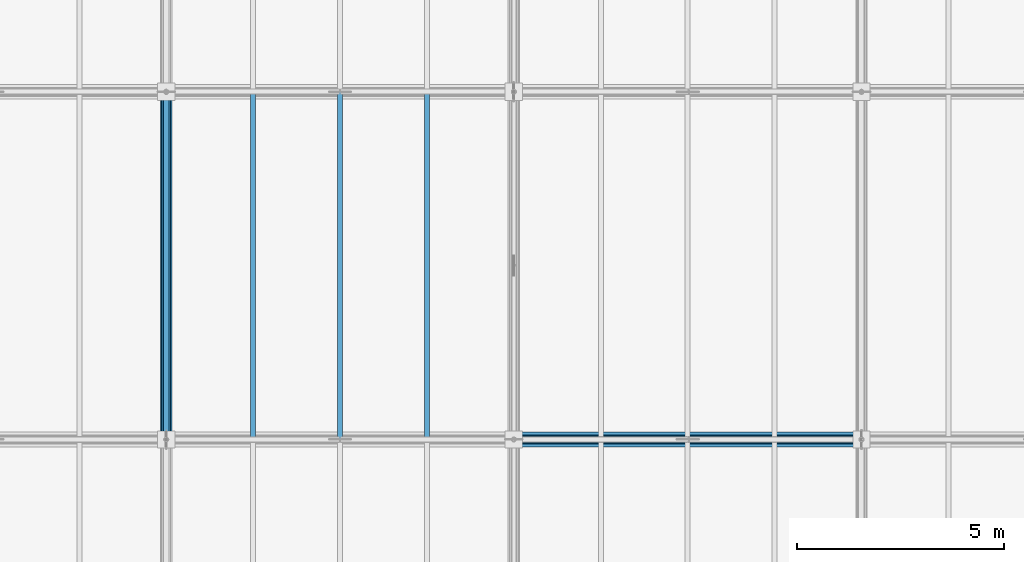
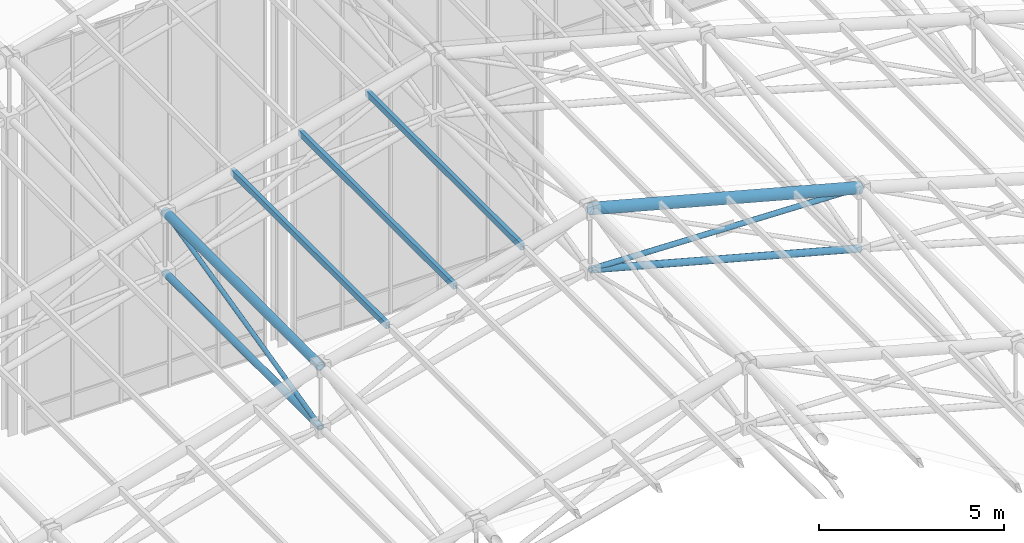
# One storey, part 54 of 144: 9 members.
"""IFC4 building model written with IfcOpenShell, lengths in metres."""

from ifc_helpers import new_model, si_unit, direction, frame, origin, origin_2d, place, context, subcontext, project, spatial, hollow_rectangle, hollow_circle, extrude, material, material_profile, profile_set, type_object, element, save


model = new_model("IFC4")

# Units and contexts
model_context = context("Model", 3, precision=1e-05, world=origin(), true_north=direction((0.0, 1.0)))
body_context = subcontext(model_context, "Body", "Model", "MODEL_VIEW")
ifc_project = project(units=[si_unit("LENGTHUNIT", "METRE"), si_unit("AREAUNIT", "SQUARE_METRE"), si_unit("VOLUMEUNIT", "CUBIC_METRE"), si_unit("PLANEANGLEUNIT", "RADIAN"), si_unit("MASSUNIT", "GRAM", prefix="KILO")], contexts=[model_context])

# Site, building, storey
site_placement = place(None, origin())
site = spatial("IfcSite", under=ifc_project, at=site_placement, CompositionType="ELEMENT")
building_placement = place(site_placement, origin())
building = spatial("IfcBuilding", under=site, at=building_placement, Name="Zayran Congress Hotel", CompositionType="ELEMENT")
storey_placement = place(building_placement, frame((0.0, 0.0, 19.199951171875)))
storey = spatial("IfcBuildingStorey", under=building, at=storey_placement, Name="L04", CompositionType="ELEMENT", Elevation=19.199951171875)

# Members
ifc_material = material(Name="Steel S355", Category="steel")
ifc_material_profile_1 = material_profile(ifc_material, hollow_circle(Radius=0.177734375, WallThickness=0.01611328125, at=origin_2d()), Name="CHS 355.6x16")
ifc_profile_set_1 = profile_set([ifc_material_profile_1], Name="Steel S355")
member_type_1 = type_object("IfcMemberType", Name="TP-SF-TC1", PredefinedType="CHORD", material=ifc_profile_set_1)
member_1_placement = place(storey_placement, frame((50.39990234375, 92.800048828125, 14.60205078125), z_axis=(0.96594917914, 0.0, -0.258731875344), x_axis=(0.0, 1.0, 0.0)))
element("IfcMember", 1, at=member_1_placement, inside=storey, type_object=member_type_1, Name="Space Frame Top Chord X 299", PredefinedType="CHORD", context=body_context, shape_type="SweptSolid", body=[
    extrude(hollow_circle(Radius=0.177734375, WallThickness=0.01611328125, at=origin_2d()), origin(), (0.0, 0.0, 1.0), 8.6962890625),
])
ifc_material_profile_2 = material_profile(ifc_material, hollow_circle(Radius=0.136474609375, WallThickness=0.012451171875, at=origin_2d()), Name="CHS 273x12.5")
ifc_profile_set_2 = profile_set([ifc_material_profile_2], Name="Steel S355")
member_type_2 = type_object("IfcMemberType", Name="TP-SF-TC2", PredefinedType="CHORD", material=ifc_profile_set_2)
member_2_placement = place(storey_placement, frame((42.0, 92.800048828125, 12.35205078125), z_axis=(0.0, 1.0, 0.0), x_axis=(-1.0, 0.0, 0.0)))
element("IfcMember", 2, at=member_2_placement, inside=storey, type_object=member_type_2, Name="Space Frame Top Chord Y 247", PredefinedType="CHORD", context=body_context, shape_type="SweptSolid", body=[
    extrude(hollow_circle(Radius=0.136474609375, WallThickness=0.012451171875, at=origin_2d()), origin(), (0.0, 0.0, 1.0), 8.39990234375),
])
ifc_material_profile_3 = material_profile(ifc_material, hollow_circle(Radius=0.109619140625, WallThickness=0.010009765625, at=origin_2d()), Name="CHS 219.1x10")
ifc_profile_set_3 = profile_set([ifc_material_profile_3], Name="Steel S355")
member_type_3 = type_object("IfcMemberType", Name="TP-SF-BC1", PredefinedType="CHORD", material=ifc_profile_set_3)
member_3_placement = place(storey_placement, frame((42.0, 92.800048828125, 10.35009765625), z_axis=(0.0, 1.0, 0.0), x_axis=(-1.0, 0.0, 0.0)))
element("IfcMember", 3, at=member_3_placement, inside=storey, type_object=member_type_3, Name="Space Frame Bottom Chord Y 248", PredefinedType="CHORD", context=body_context, shape_type="SweptSolid", body=[
    extrude(hollow_circle(Radius=0.109619140625, WallThickness=0.010009765625, at=origin_2d()), origin(), (0.0, 0.0, 1.0), 8.39990234375),
])
member_4_placement = place(storey_placement, frame((50.39990234375, 92.800048828125, 12.60009765625), z_axis=(0.96594917914, 0.0, -0.258731875344), x_axis=(0.0, 1.0, 0.0)))
element("IfcMember", 4, at=member_4_placement, inside=storey, type_object=member_type_3, Name="Space Frame Bottom Chord X 300", PredefinedType="CHORD", context=body_context, shape_type="SweptSolid", body=[
    extrude(hollow_circle(Radius=0.109619140625, WallThickness=0.010009765625, at=origin_2d()), origin(), (0.0, 0.0, 1.0), 8.6962890625),
])
ifc_material_profile_4 = material_profile(ifc_material, hollow_circle(Radius=0.084228515625, WallThickness=0.008056640625, at=origin_2d()), Name="CHS 168.3x8")
ifc_profile_set_4 = profile_set([ifc_material_profile_4], Name="Steel S355")
member_type_4 = type_object("IfcMemberType", Name="TP-SF-DG1", PredefinedType="BRACE", material=ifc_profile_set_4)
member_5_placement = place(storey_placement, frame((50.39990234375, 92.800048828125, 12.60009765625), z_axis=(0.99956430768, 0.0, -0.029516009434), x_axis=(0.0, 1.0, 0.0)))
element("IfcMember", 5, at=member_5_placement, inside=storey, type_object=member_type_4, Name="Space Frame Web Diagonal X 301", PredefinedType="BRACE", context=body_context, shape_type="SweptSolid", body=[
    extrude(hollow_circle(Radius=0.084228515625, WallThickness=0.008056640625, at=origin_2d()), origin(), (0.0, 0.0, 1.0), 8.40380859375),
])
ifc_material_profile_5 = material_profile(ifc_material, hollow_circle(Radius=0.06982421875, WallThickness=0.00634765625, at=origin_2d()), Name="CHS 139.7x6.3")
ifc_profile_set_5 = profile_set([ifc_material_profile_5], Name="Steel S355")
member_type_5 = type_object("IfcMemberType", Name="TP-SF-DG2", PredefinedType="BRACE", material=ifc_profile_set_5)
member_6_placement = place(storey_placement, frame((42.0, 92.800048828125, 10.35009765625), z_axis=(0.0, 0.97275461998, 0.231837118056), x_axis=(-1.0, 0.0, 0.0)))
element("IfcMember", 6, at=member_6_placement, inside=storey, type_object=member_type_5, Name="Space Frame Web Diagonal Y 249", PredefinedType="BRACE", context=body_context, shape_type="SweptSolid", body=[
    extrude(hollow_circle(Radius=0.06982421875, WallThickness=0.00634765625, at=origin_2d()), origin(), (0.0, 0.0, 1.0), 8.63525390625),
])
ifc_material_profile_6 = material_profile(ifc_material, hollow_rectangle(XDim=0.1201171875, YDim=0.199951171875, WallThickness=0.008056640625, at=origin_2d()), Name="RHS 200x120x8")
ifc_profile_set_6 = profile_set([ifc_material_profile_6], Name="Steel S355")
member_type_6 = type_object("IfcMemberType", Name="TP-PR-01", PredefinedType="PURLIN", material=ifc_profile_set_6)
for number, where, z_axis, x_axis, name in (
    (7, (44.10009765625, 92.800048828125, 12.95654296875), (0.0, 1.0, 0.0), (-1.0, 0.0, 0.0), "MEM-PR-V1-0076"),
    (8, (46.199951171875, 92.800048828125, 13.51904296875), (0.0, 1.0, 0.0), (-1.0, 0.0, 0.0), "MEM-PR-V1-0082"),
    (9, (48.300048828125, 92.800048828125, 14.08154296875), (0.0, 1.0, 0.0), (-1.0, 0.0, 0.0), "MEM-PR-V1-0088"),
):
    element("IfcMember", number, at=place(storey_placement, frame(where, z_axis=z_axis, x_axis=x_axis)), inside=storey, type_object=member_type_6, Name=name, PredefinedType="PURLIN", context=body_context, shape_type="SweptSolid", body=[
        extrude(hollow_rectangle(XDim=0.1201171875, YDim=0.199951171875, WallThickness=0.008056640625, at=origin_2d()), origin(), (0.0, 0.0, 1.0), 8.39990234375),
    ])

save(model, "model.ifc")
